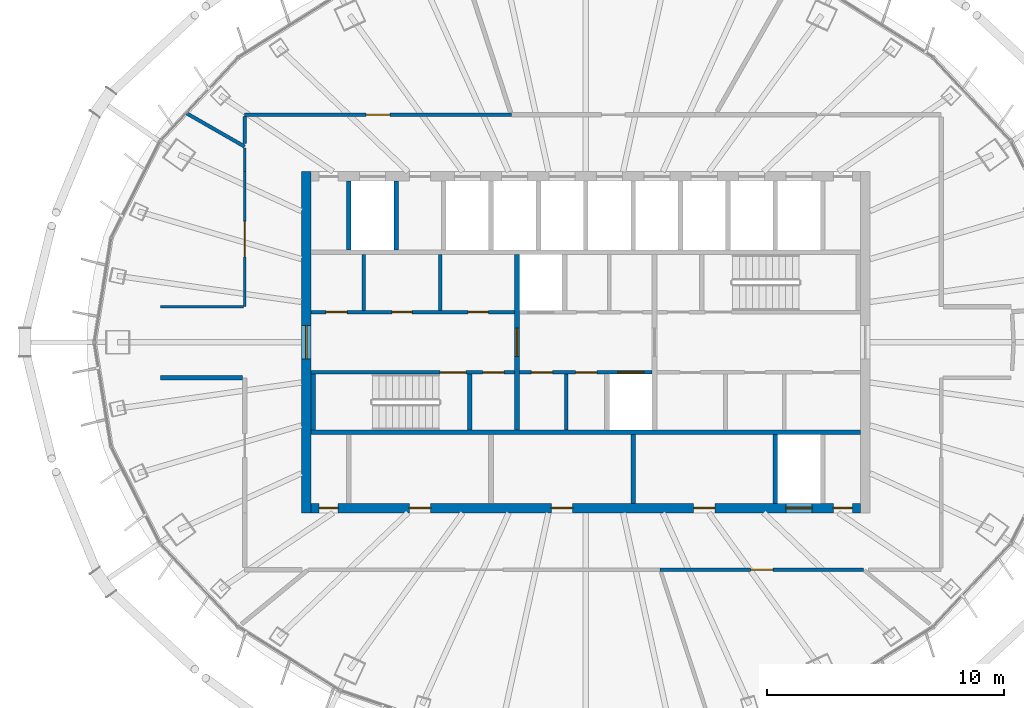
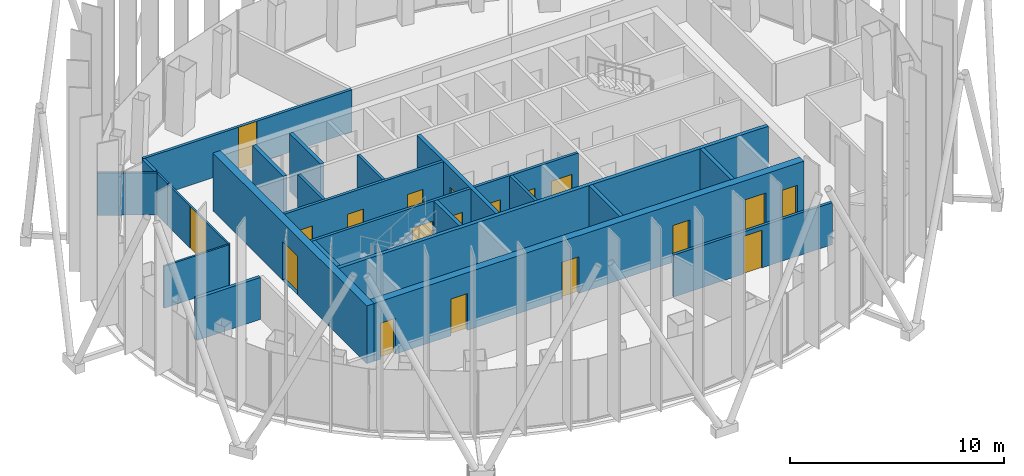
# One storey, part 9 of 19: 24 walls, 19 doors, 19 openings.
"""IFC4 building model written with IfcOpenShell, lengths in metres."""

from ifc_helpers import new_model, si_unit, direction, frame, frame_2d, origin, place, context, subcontext, project, spatial, rectangle, extrude, material, layer, layer_set, type_object, element, fill, save


model = new_model("IFC4")

# Units and contexts
model_context = context("Model", 3, precision=1e-05, world=origin(), true_north=direction((0.0, 1.0)))
body_context = subcontext(model_context, "Body", "Model", "MODEL_VIEW")
ifc_project = project(units=[si_unit("LENGTHUNIT", "METRE"), si_unit("AREAUNIT", "SQUARE_METRE"), si_unit("VOLUMEUNIT", "CUBIC_METRE"), si_unit("PLANEANGLEUNIT", "RADIAN"), si_unit("MASSUNIT", "GRAM", prefix="KILO")], contexts=[model_context])

# Site, building, storey
site_placement = place(None, origin())
site = spatial("IfcSite", under=ifc_project, at=site_placement, CompositionType="ELEMENT")
building_placement = place(site_placement, origin())
building = spatial("IfcBuilding", under=site, at=building_placement, Name="Siaravel Broadcast Tower", CompositionType="ELEMENT")
storey_placement = place(building_placement, frame((0.0, 0.0, 250.39990234375)))
storey = spatial("IfcBuildingStorey", under=building, at=storey_placement, Name="L61", CompositionType="ELEMENT", Elevation=250.39990234375)

# Walls
ifc_material_1 = material(Name="Concrete blockwork", Category="masonry")
ifc_layer_1 = layer(ifc_material_1, 0.14990234375)
ifc_layer_set_1 = layer_set([ifc_layer_1], Name="Concrete blockwork")
wall_type_1 = type_object("IfcWallType", Name="Core partition 150", PredefinedType="PARTITIONING", material=ifc_layer_set_1)
for number, where, z_axis, x_axis, name in (
    (1, (-9.366943359375, 1.35009765625, 0.0), (0.0, 0.0, 1.0), (0.0, 1.0, 0.0), "L61 core partition PNW0"),
    (2, (-6.14599609375, 1.35009765625, 0.0), (0.0, 0.0, 1.0), (0.0, 1.0, 0.0), "L61 core partition PNW1"),
    (3, (-0.827392578125, -3.699951171875, 0.0), (0.0, 0.0, 1.0), (0.0, 1.0, 0.0), "L61 core partition PSM0"),
):
    element("IfcWall", number, at=place(storey_placement, frame(where, z_axis=z_axis, x_axis=x_axis)), inside=storey, type_object=wall_type_1, Name=name, PredefinedType="PARTITIONING", context=body_context, shape_type="SweptSolid", body=[
        extrude(rectangle(XDim=2.349853515625, YDim=0.14990234375, at=frame_2d((1.1748046875, 0.0))), origin(), (0.0, 0.0, 1.0), 3.300048828125),
    ])
ifc_layer_2 = layer(ifc_material_1, 0.199951171875)
ifc_layer_set_2 = layer_set([ifc_layer_2], Name="Concrete blockwork")
wall_type_2 = type_object("IfcWallType", Name="Core partition 200", PredefinedType="PARTITIONING", material=ifc_layer_set_2)
wall_1_placement = place(storey_placement, frame((2.0, -6.800048828125, 0.0), z_axis=(0.0, 0.0, 1.0), x_axis=(0.0, 1.0, 0.0)))
element("IfcWall", 4, at=wall_1_placement, inside=storey, type_object=wall_type_2, Name="L61 core partition PFS3", PredefinedType="PARTITIONING", context=body_context, shape_type="SweptSolid", body=[
    extrude(rectangle(XDim=2.900146484375, YDim=0.199951171875, at=frame_2d((1.4501953125, 0.0))), origin(), (0.0, 0.0, 1.0), 3.300048828125),
])

# Wall, opening, door
ifc_material_2 = material(Name="Concrete C60/75", Category="concrete")
ifc_layer_3 = layer(ifc_material_2, 0.39990234375)
ifc_layer_set_3 = layer_set([ifc_layer_3], Name="Concrete C60/75")
wall_type_3 = type_object("IfcWallType", Name="Core wall 400", PredefinedType="SHEAR", material=ifc_layer_set_3)
wall_2_placement = place(storey_placement, frame((-11.800048828125, -7.199951171875, 0.0), z_axis=(0.0, 0.0, 1.0), x_axis=(0.0, 1.0, 0.0)))
wall_2 = element("IfcWall", 5, at=wall_2_placement, inside=storey, type_object=wall_type_3, Name="L61 core wall OW", PredefinedType="SHEAR", context=body_context, shape_type="SweptSolid", body=[
    extrude(rectangle(XDim=14.39990234375, YDim=0.39990234375, at=frame_2d((7.199951171875, 0.0))), origin(), (0.0, 0.0, 1.0), 3.300048828125),
])
opening_1_placement = place(wall_2_placement, frame((6.5, 0.0, 0.0)))
opening_1 = element("IfcOpeningElement", 6, at=opening_1_placement, cuts=wall_2, Name="Opening L61-DX-W", PredefinedType="OPENING", context=body_context, shape_type="SweptSolid", body=[
    extrude(rectangle(XDim=1.39990234375, YDim=2.199951171875, at=frame_2d((0.699951171875, 1.10009765625))), frame((0.0, 0.2099609375, 0.0), z_axis=(0.0, -1.0, 0.0), x_axis=(1.0, 0.0, 0.0)), (0.0, 0.0, 1.0), 0.419921875),
])
ifc_material_3 = material(Name="Steel", Category="steel")
door_type_1 = type_object("IfcDoorType", Name="Core exit door 1400", OperationType="DOUBLE_DOOR_SINGLE_SWING", PredefinedType="DOOR", material=ifc_material_3)
door_1_placement = place(opening_1_placement, origin())
door_1 = element("IfcDoor", 7, at=door_1_placement, inside=storey, type_object=door_type_1, Name="L61 door DX-W", OperationType="DOUBLE_DOOR_SINGLE_SWING", OverallHeight=2.199951171875, OverallWidth=1.39990234375, PredefinedType="DOOR", context=body_context, shape_type="SweptSolid", body=[
    extrude(rectangle(XDim=1.39990234375, YDim=2.199951171875, at=frame_2d((0.699951171875, 1.10009765625))), frame((0.0, 0.02490234375, 0.0), z_axis=(0.0, -1.0, 0.0), x_axis=(1.0, 0.0, 0.0)), (0.0, 0.0, 1.0), 0.050048828125),
])
fill(opening_1, door_1)

# Wall, openings, doors
wall_3_placement = place(storey_placement, frame((-11.60009765625, -7.0, 0.0), z_axis=(0.0, 0.0, 1.0), x_axis=(1.0, 0.0, 0.0)))
wall_3 = element("IfcWall", 8, at=wall_3_placement, inside=storey, type_object=wall_type_3, Name="L61 core wall OS", PredefinedType="SHEAR", context=body_context, shape_type="SweptSolid", body=[
    extrude(rectangle(XDim=23.2001953125, YDim=0.39990234375, at=frame_2d((11.60009765625, 0.0))), origin(), (0.0, 0.0, 1.0), 3.300048828125),
])
opening_2_placement = place(wall_3_placement, frame((20.050048828125, 0.0, 0.0)))
opening_2 = element("IfcOpeningElement", 9, at=opening_2_placement, cuts=wall_3, Name="Opening LD-SV1-L61", PredefinedType="OPENING", context=body_context, shape_type="SweptSolid", body=[
    extrude(rectangle(XDim=1.10009765625, YDim=2.199951171875, at=frame_2d((0.550048828125, 1.10009765625))), frame((0.0, 0.2099609375, 0.0), z_axis=(0.0, -1.0, 0.0), x_axis=(1.0, 0.0, 0.0)), (0.0, 0.0, 1.0), 0.419921875),
])
opening_3_placement = place(wall_3_placement, frame((4.14990234375, 0.0, 0.0)))
opening_3 = element("IfcOpeningElement", 10, at=opening_3_placement, cuts=wall_3, Name="Opening L61-DFS0", PredefinedType="OPENING", context=body_context, shape_type="SweptSolid", body=[
    extrude(rectangle(XDim=0.89990234375, YDim=2.10009765625, at=frame_2d((0.449951171875, 1.050048828125))), frame((0.0, 0.2099609375, 0.0), z_axis=(0.0, -1.0, 0.0), x_axis=(1.0, 0.0, 0.0)), (0.0, 0.0, 1.0), 0.419921875),
])
opening_4_placement = place(wall_3_placement, frame((10.14990234375, 0.0, 0.0)))
opening_4 = element("IfcOpeningElement", 11, at=opening_4_placement, cuts=wall_3, Name="Opening L61-DFS3", PredefinedType="OPENING", context=body_context, shape_type="SweptSolid", body=[
    extrude(rectangle(XDim=0.89990234375, YDim=2.10009765625, at=frame_2d((0.449951171875, 1.050048828125))), frame((0.0, 0.2099609375, 0.0), z_axis=(0.0, -1.0, 0.0), x_axis=(1.0, 0.0, 0.0)), (0.0, 0.0, 1.0), 0.419921875),
])
opening_5_placement = place(wall_3_placement, frame((16.14990234375, 0.0, 0.0)))
opening_5 = element("IfcOpeningElement", 12, at=opening_5_placement, cuts=wall_3, Name="Opening L61-DFS6", PredefinedType="OPENING", context=body_context, shape_type="SweptSolid", body=[
    extrude(rectangle(XDim=0.89990234375, YDim=2.10009765625, at=frame_2d((0.449951171875, 1.050048828125))), frame((0.0, 0.2099609375, 0.0), z_axis=(0.0, -1.0, 0.0), x_axis=(1.0, 0.0, 0.0)), (0.0, 0.0, 1.0), 0.419921875),
])
opening_6_placement = place(wall_3_placement, frame((0.35009765625, 0.0, 0.0)))
opening_6 = element("IfcOpeningElement", 13, at=opening_6_placement, cuts=wall_3, Name="Opening L61-DRSW", PredefinedType="OPENING", context=body_context, shape_type="SweptSolid", body=[
    extrude(rectangle(XDim=0.800048828125, YDim=2.050048828125, at=frame_2d((0.39990234375, 1.02490234375))), frame((0.0, 0.2099609375, 0.0), z_axis=(0.0, -1.0, 0.0), x_axis=(1.0, 0.0, 0.0)), (0.0, 0.0, 1.0), 0.419921875),
])
opening_7_placement = place(wall_3_placement, frame((22.050048828125, 0.0, 0.0)))
opening_7 = element("IfcOpeningElement", 14, at=opening_7_placement, cuts=wall_3, Name="Opening L61-DRSE", PredefinedType="OPENING", context=body_context, shape_type="SweptSolid", body=[
    extrude(rectangle(XDim=0.800048828125, YDim=2.050048828125, at=frame_2d((0.39990234375, 1.02490234375))), frame((0.0, 0.2099609375, 0.0), z_axis=(0.0, -1.0, 0.0), x_axis=(1.0, 0.0, 0.0)), (0.0, 0.0, 1.0), 0.419921875),
])
ifc_material_4 = material(Name="Timber veneer", Category="wood")
door_type_2 = type_object("IfcDoorType", Name="Core room door 900", OperationType="SINGLE_SWING_LEFT", PredefinedType="DOOR", material=ifc_material_4)
door_2_placement = place(opening_3_placement, origin())
door_2 = element("IfcDoor", 15, at=door_2_placement, inside=storey, type_object=door_type_2, Name="L61 door DFS0", OperationType="SINGLE_SWING_LEFT", OverallHeight=2.10009765625, OverallWidth=0.89990234375, PredefinedType="DOOR", context=body_context, shape_type="SweptSolid", body=[
    extrude(rectangle(XDim=0.89990234375, YDim=2.10009765625, at=frame_2d((0.449951171875, 1.050048828125))), frame((0.0, 0.02490234375, 0.0), z_axis=(0.0, -1.0, 0.0), x_axis=(1.0, 0.0, 0.0)), (0.0, 0.0, 1.0), 0.050048828125),
])
fill(opening_3, door_2)
door_3_placement = place(opening_4_placement, origin())
door_3 = element("IfcDoor", 16, at=door_3_placement, inside=storey, type_object=door_type_2, Name="L61 door DFS3", OperationType="SINGLE_SWING_LEFT", OverallHeight=2.10009765625, OverallWidth=0.89990234375, PredefinedType="DOOR", context=body_context, shape_type="SweptSolid", body=[
    extrude(rectangle(XDim=0.89990234375, YDim=2.10009765625, at=frame_2d((0.449951171875, 1.050048828125))), frame((0.0, 0.02490234375, 0.0), z_axis=(0.0, -1.0, 0.0), x_axis=(1.0, 0.0, 0.0)), (0.0, 0.0, 1.0), 0.050048828125),
])
fill(opening_4, door_3)
door_4_placement = place(opening_5_placement, origin())
door_4 = element("IfcDoor", 17, at=door_4_placement, inside=storey, type_object=door_type_2, Name="L61 door DFS6", OperationType="SINGLE_SWING_LEFT", OverallHeight=2.10009765625, OverallWidth=0.89990234375, PredefinedType="DOOR", context=body_context, shape_type="SweptSolid", body=[
    extrude(rectangle(XDim=0.89990234375, YDim=2.10009765625, at=frame_2d((0.449951171875, 1.050048828125))), frame((0.0, 0.02490234375, 0.0), z_axis=(0.0, -1.0, 0.0), x_axis=(1.0, 0.0, 0.0)), (0.0, 0.0, 1.0), 0.050048828125),
])
fill(opening_5, door_4)
door_type_3 = type_object("IfcDoorType", Name="Riser door 800", OperationType="SINGLE_SWING_LEFT", PredefinedType="DOOR", material=ifc_material_3)
door_5_placement = place(opening_6_placement, origin())
door_5 = element("IfcDoor", 18, at=door_5_placement, inside=storey, type_object=door_type_3, Name="L61 door DRSW", OperationType="SINGLE_SWING_LEFT", OverallHeight=2.050048828125, OverallWidth=0.800048828125, PredefinedType="DOOR", context=body_context, shape_type="SweptSolid", body=[
    extrude(rectangle(XDim=0.800048828125, YDim=2.050048828125, at=frame_2d((0.39990234375, 1.02490234375))), frame((0.0, 0.02490234375, 0.0), z_axis=(0.0, -1.0, 0.0), x_axis=(1.0, 0.0, 0.0)), (0.0, 0.0, 1.0), 0.050048828125),
])
fill(opening_6, door_5)
door_6_placement = place(opening_7_placement, origin())
door_6 = element("IfcDoor", 19, at=door_6_placement, inside=storey, type_object=door_type_3, Name="L61 door DRSE", OperationType="SINGLE_SWING_LEFT", OverallHeight=2.050048828125, OverallWidth=0.800048828125, PredefinedType="DOOR", context=body_context, shape_type="SweptSolid", body=[
    extrude(rectangle(XDim=0.800048828125, YDim=2.050048828125, at=frame_2d((0.39990234375, 1.02490234375))), frame((0.0, 0.02490234375, 0.0), z_axis=(0.0, -1.0, 0.0), x_axis=(1.0, 0.0, 0.0)), (0.0, 0.0, 1.0), 0.050048828125),
])
fill(opening_7, door_6)
ifc_material_5 = material(Name="Stainless steel 316L", Category="steel")
door_type_4 = type_object("IfcDoorType", Name="Service lift landing door 1100", OperationType="DOUBLE_DOOR_SLIDING", PredefinedType="DOOR", material=ifc_material_5)
door_7_placement = place(opening_2_placement, origin())
door_7 = element("IfcDoor", 20, at=door_7_placement, inside=storey, type_object=door_type_4, Name="Landing door SV1 L61", OperationType="DOUBLE_DOOR_SLIDING", OverallHeight=2.199951171875, OverallWidth=1.10009765625, PredefinedType="DOOR", context=body_context, shape_type="SweptSolid", body=[
    extrude(rectangle(XDim=1.10009765625, YDim=2.199951171875, at=frame_2d((0.550048828125, 1.10009765625))), frame((0.0, 0.02490234375, 0.0), z_axis=(0.0, -1.0, 0.0), x_axis=(1.0, 0.0, 0.0)), (0.0, 0.0, 1.0), 0.050048828125),
])
fill(opening_2, door_7)

ifc_material_6 = material(Name="Gypsum board partition", Category="gypsum")
ifc_layer_4 = layer(ifc_material_6, 0.14990234375)
ifc_layer_set_4 = layer_set([ifc_layer_4], Name="Gypsum board partition")
wall_type_4 = type_object("IfcWallType", Name="Corridor wall 150", PredefinedType="PARTITIONING", material=ifc_layer_set_4)
wall_4_placement = place(storey_placement, frame((-11.60009765625, 1.27490234375, 0.0), z_axis=(0.0, 0.0, 1.0), x_axis=(1.0, 0.0, 0.0)))
wall_4 = element("IfcWall", 21, at=wall_4_placement, inside=storey, type_object=wall_type_4, Name="L61 core partition CNW", PredefinedType="PARTITIONING", context=body_context, shape_type="SweptSolid", body=[
    extrude(rectangle(XDim=8.60009765625, YDim=0.14990234375, at=frame_2d((4.300048828125, 0.0))), origin(), (0.0, 0.0, 1.0), 3.300048828125),
])
opening_8_placement = place(wall_4_placement, frame((0.62890625, 0.0, 0.0)))
opening_8 = element("IfcOpeningElement", 22, at=opening_8_placement, cuts=wall_4, Name="Opening L61-DNW0", PredefinedType="OPENING", context=body_context, shape_type="SweptSolid", body=[
    extrude(rectangle(XDim=0.89990234375, YDim=2.10009765625, at=frame_2d((0.449951171875, 1.050048828125))), frame((0.0, 0.0849609375, 0.0), z_axis=(0.0, -1.0, 0.0), x_axis=(1.0, 0.0, 0.0)), (0.0, 0.0, 1.0), 0.169921875),
])
opening_9_placement = place(wall_4_placement, frame((3.41845703125, 0.0, 0.0)))
opening_9 = element("IfcOpeningElement", 23, at=opening_9_placement, cuts=wall_4, Name="Opening L61-DNW1", PredefinedType="OPENING", context=body_context, shape_type="SweptSolid", body=[
    extrude(rectangle(XDim=0.85009765625, YDim=2.10009765625, at=frame_2d((0.425048828125, 1.050048828125))), frame((0.0, 0.0849609375, 0.0), z_axis=(0.0, -1.0, 0.0), x_axis=(1.0, 0.0, 0.0)), (0.0, 0.0, 1.0), 0.169921875),
])
opening_10_placement = place(wall_4_placement, frame((6.639404296875, 0.0, 0.0)))
opening_10 = element("IfcOpeningElement", 24, at=opening_10_placement, cuts=wall_4, Name="Opening L61-DNW2", PredefinedType="OPENING", context=body_context, shape_type="SweptSolid", body=[
    extrude(rectangle(XDim=0.85009765625, YDim=2.10009765625, at=frame_2d((0.425048828125, 1.050048828125))), frame((0.0, 0.0849609375, 0.0), z_axis=(0.0, -1.0, 0.0), x_axis=(1.0, 0.0, 0.0)), (0.0, 0.0, 1.0), 0.169921875),
])
door_8_placement = place(opening_8_placement, origin())
door_8 = element("IfcDoor", 25, at=door_8_placement, inside=storey, type_object=door_type_2, Name="L61 door DNW0", OperationType="SINGLE_SWING_LEFT", OverallHeight=2.10009765625, OverallWidth=0.89990234375, PredefinedType="DOOR", context=body_context, shape_type="SweptSolid", body=[
    extrude(rectangle(XDim=0.89990234375, YDim=2.10009765625, at=frame_2d((0.449951171875, 1.050048828125))), frame((0.0, 0.02490234375, 0.0), z_axis=(0.0, -1.0, 0.0), x_axis=(1.0, 0.0, 0.0)), (0.0, 0.0, 1.0), 0.050048828125),
])
fill(opening_8, door_8)
door_type_5 = type_object("IfcDoorType", Name="Core toilet door 850", OperationType="SINGLE_SWING_LEFT", PredefinedType="DOOR", material=ifc_material_4)
door_9_placement = place(opening_9_placement, origin())
door_9 = element("IfcDoor", 26, at=door_9_placement, inside=storey, type_object=door_type_5, Name="L61 door DNW1", OperationType="SINGLE_SWING_LEFT", OverallHeight=2.10009765625, OverallWidth=0.85009765625, PredefinedType="DOOR", context=body_context, shape_type="SweptSolid", body=[
    extrude(rectangle(XDim=0.85009765625, YDim=2.10009765625, at=frame_2d((0.425048828125, 1.050048828125))), frame((0.0, 0.02490234375, 0.0), z_axis=(0.0, -1.0, 0.0), x_axis=(1.0, 0.0, 0.0)), (0.0, 0.0, 1.0), 0.050048828125),
])
fill(opening_9, door_9)
door_10_placement = place(opening_10_placement, origin())
door_10 = element("IfcDoor", 27, at=door_10_placement, inside=storey, type_object=door_type_5, Name="L61 door DNW2", OperationType="SINGLE_SWING_LEFT", OverallHeight=2.10009765625, OverallWidth=0.85009765625, PredefinedType="DOOR", context=body_context, shape_type="SweptSolid", body=[
    extrude(rectangle(XDim=0.85009765625, YDim=2.10009765625, at=frame_2d((0.425048828125, 1.050048828125))), frame((0.0, 0.02490234375, 0.0), z_axis=(0.0, -1.0, 0.0), x_axis=(1.0, 0.0, 0.0)), (0.0, 0.0, 1.0), 0.050048828125),
])
fill(opening_10, door_10)

# Wall, opening, door
wall_5_placement = place(storey_placement, frame((-3.140380859375, 9.60009765625, 0.0), z_axis=(0.0, 0.0, 1.0), x_axis=(-1.0, 0.0, 0.0)))
wall_5 = element("IfcWall", 28, at=wall_5_placement, inside=storey, type_object=wall_type_4, Name="L61 partition 2", PredefinedType="PARTITIONING", context=body_context, shape_type="SweptSolid", body=[
    extrude(rectangle(XDim=11.259521484375, YDim=0.14990234375, at=frame_2d((5.6298828125, 0.0))), origin(), (0.0, 0.0, 1.0), 2.400146484375),
])
opening_11_placement = place(wall_5_placement, frame((5.1298828125, 0.0, 0.0)))
opening_11 = element("IfcOpeningElement", 29, at=opening_11_placement, cuts=wall_5, Name="Opening L61-007", PredefinedType="OPENING", context=body_context, shape_type="SweptSolid", body=[
    extrude(rectangle(XDim=1.0, YDim=2.39990234375, at=frame_2d((0.5, 1.199951171875))), frame((0.0, 0.0849609375, 0.0), z_axis=(0.0, -1.0, 0.0), x_axis=(1.0, 0.0, 0.0)), (0.0, 0.0, 1.0), 0.169921875),
])
door_type_6 = type_object("IfcDoorType", Name="Executive office door 1000", OperationType="SINGLE_SWING_LEFT", PredefinedType="DOOR", material=ifc_material_4)
door_11_placement = place(opening_11_placement, origin())
door_11 = element("IfcDoor", 30, at=door_11_placement, inside=storey, type_object=door_type_6, Name="L61 door to Executive office", OperationType="SINGLE_SWING_LEFT", OverallHeight=2.39990234375, OverallWidth=1.0, PredefinedType="DOOR", context=body_context, shape_type="SweptSolid", body=[
    extrude(rectangle(XDim=1.0, YDim=2.39990234375, at=frame_2d((0.5, 1.199951171875))), frame((0.0, 0.02490234375, 0.0), z_axis=(0.0, -1.0, 0.0), x_axis=(1.0, 0.0, 0.0)), (0.0, 0.0, 1.0), 0.050048828125),
])
fill(opening_11, door_11)

wall_6_placement = place(storey_placement, frame((3.140380859375, -9.60009765625, 0.0), z_axis=(0.0, 0.0, 1.0), x_axis=(1.0, 0.0, 0.0)))
wall_6 = element("IfcWall", 31, at=wall_6_placement, inside=storey, type_object=wall_type_4, Name="L61 partition 5", PredefinedType="PARTITIONING", context=body_context, shape_type="SweptSolid", body=[
    extrude(rectangle(XDim=8.57958984375, YDim=0.14990234375, at=frame_2d((4.289794921875, 0.0))), origin(), (0.0, 0.0, 1.0), 2.400146484375),
])
opening_12_placement = place(wall_6_placement, frame((3.814697265625, 0.0, 0.0)))
opening_12 = element("IfcOpeningElement", 32, at=opening_12_placement, cuts=wall_6, Name="Opening L61-003", PredefinedType="OPENING", context=body_context, shape_type="SweptSolid", body=[
    extrude(rectangle(XDim=0.949951171875, YDim=2.14990234375, at=frame_2d((0.47509765625, 1.074951171875))), frame((0.0, 0.0849609375, 0.0), z_axis=(0.0, -1.0, 0.0), x_axis=(1.0, 0.0, 0.0)), (0.0, 0.0, 1.0), 0.169921875),
])
door_type_7 = type_object("IfcDoorType", Name="Office door 950", OperationType="SINGLE_SWING_LEFT", PredefinedType="DOOR", material=ifc_material_4)
door_12_placement = place(opening_12_placement, origin())
door_12 = element("IfcDoor", 33, at=door_12_placement, inside=storey, type_object=door_type_7, Name="L61 door to Reception", OperationType="SINGLE_SWING_LEFT", OverallHeight=2.14990234375, OverallWidth=0.949951171875, PredefinedType="DOOR", context=body_context, shape_type="SweptSolid", body=[
    extrude(rectangle(XDim=0.949951171875, YDim=2.14990234375, at=frame_2d((0.47509765625, 1.074951171875))), frame((0.0, 0.02490234375, 0.0), z_axis=(0.0, -1.0, 0.0), x_axis=(1.0, 0.0, 0.0)), (0.0, 0.0, 1.0), 0.050048828125),
])
fill(opening_12, door_12)

# Wall
wall_7_placement = place(storey_placement, frame((-14.39990234375, 9.52294921875, 0.0), z_axis=(0.0, 0.0, 1.0), x_axis=(0.0, -1.0, 0.0)))
element("IfcWall", 34, at=wall_7_placement, inside=storey, type_object=wall_type_4, Name="L61 partition 26", PredefinedType="PARTITIONING", context=body_context, shape_type="SweptSolid", body=[
    extrude(rectangle(XDim=1.132568359375, YDim=0.14990234375, at=frame_2d((0.56640625, 0.0))), origin(), (0.0, 0.0, 1.0), 2.400146484375),
])

# Wall, opening, door
ifc_material_7 = material(Name="Glazed aluminium partition", Category="aluminium")
ifc_layer_5 = layer(ifc_material_7, 0.10009765625)
ifc_layer_set_5 = layer_set([ifc_layer_5], Name="Glazed aluminium partition")
wall_type_5 = type_object("IfcWallType", Name="Glazed meeting room partition 100", PredefinedType="PARTITIONING", material=ifc_layer_set_5)
wall_8_placement = place(storey_placement, frame((-14.39990234375, 7.2119140625, 0.0), z_axis=(0.0, 0.0, 1.0), x_axis=(0.0, -1.0, 0.0)))
wall_8 = element("IfcWall", 35, at=wall_8_placement, inside=storey, type_object=wall_type_5, Name="L61 partition 10", PredefinedType="PARTITIONING", context=body_context, shape_type="SweptSolid", body=[
    extrude(rectangle(XDim=5.7119140625, YDim=0.10009765625, at=frame_2d((2.85595703125, 0.0))), origin(), (0.0, 0.0, 1.0), 2.400146484375),
])
opening_13_placement = place(wall_8_placement, frame((2.10595703125, 0.0, 0.0)))
opening_13 = element("IfcOpeningElement", 36, at=opening_13_placement, cuts=wall_8, Name="Opening L61-008", PredefinedType="OPENING", context=body_context, shape_type="SweptSolid", body=[
    extrude(rectangle(XDim=1.5, YDim=2.39990234375, at=frame_2d((0.75, 1.199951171875))), frame((0.0, 0.06005859375, 0.0), z_axis=(0.0, -1.0, 0.0), x_axis=(1.0, 0.0, 0.0)), (0.0, 0.0, 1.0), 0.1201171875),
])
door_type_8 = type_object("IfcDoorType", Name="Conference double door 1500", OperationType="DOUBLE_DOOR_SINGLE_SWING", PredefinedType="DOOR", material=ifc_material_4)
door_13_placement = place(opening_13_placement, origin())
door_13 = element("IfcDoor", 37, at=door_13_placement, inside=storey, type_object=door_type_8, Name="L61 door to Boardroom", OperationType="DOUBLE_DOOR_SINGLE_SWING", OverallHeight=2.39990234375, OverallWidth=1.5, PredefinedType="DOOR", context=body_context, shape_type="SweptSolid", body=[
    extrude(rectangle(XDim=1.5, YDim=2.39990234375, at=frame_2d((0.75, 1.199951171875))), frame((0.0, 0.02490234375, 0.0), z_axis=(0.0, -1.0, 0.0), x_axis=(1.0, 0.0, 0.0)), (0.0, 0.0, 1.0), 0.050048828125),
])
fill(opening_13, door_13)

# Walls
wall_9_placement = place(storey_placement, frame((-14.451904296875, 1.5, 0.0), z_axis=(0.0, 0.0, 1.0), x_axis=(-1.0, 0.0, 0.0)))
element("IfcWall", 38, at=wall_9_placement, inside=storey, type_object=wall_type_5, Name="L61 partition 16", PredefinedType="PARTITIONING", context=body_context, shape_type="SweptSolid", body=[
    extrude(rectangle(XDim=3.495849609375, YDim=0.10009765625, at=frame_2d((1.748046875, 0.0))), origin(), (0.0, 0.0, 1.0), 2.400146484375),
])
wall_10_placement = place(storey_placement, frame((-14.39990234375, 8.19189453125, 0.0), z_axis=(0.0, 0.0, 1.0), x_axis=(0.0, -1.0, 0.0)))
element("IfcWall", 39, at=wall_10_placement, inside=storey, type_object=wall_type_5, Name="L61 partition 29", PredefinedType="PARTITIONING", context=body_context, shape_type="SweptSolid", body=[
    extrude(rectangle(XDim=0.97900390625, YDim=0.10009765625, at=frame_2d((0.489501953125, 0.0))), origin(), (0.0, 0.0, 1.0), 2.400146484375),
])
ifc_layer_6 = layer(ifc_material_6, 0.14990234375)
ifc_layer_set_6 = layer_set([ifc_layer_6], Name="Gypsum board partition")
wall_type_6 = type_object("IfcWallType", Name="Room partition 150", PredefinedType="PARTITIONING", material=ifc_layer_set_6)
wall_11_placement = place(storey_placement, frame((-16.837890625, 9.657470703125, 0.0), z_axis=(0.0, 0.0, 1.0), x_axis=(0.86742946, -0.497560179, 0.0)))
element("IfcWall", 40, at=wall_11_placement, inside=storey, type_object=wall_type_6, Name="L61 partition 20", PredefinedType="PARTITIONING", context=body_context, shape_type="SweptSolid", body=[
    extrude(rectangle(XDim=2.810546875, YDim=0.14990234375, at=frame_2d((1.4052734375, 0.0))), origin(), (0.0, 0.0, 1.0), 2.400146484375),
])
ifc_layer_7 = layer(ifc_material_1, 0.179931640625)
ifc_layer_set_7 = layer_set([ifc_layer_7], Name="Concrete blockwork")
wall_type_7 = type_object("IfcWallType", Name="Service room fire partition 180", PredefinedType="PARTITIONING", material=ifc_layer_set_7)
wall_12_placement = place(storey_placement, frame((-17.94775390625, -1.5, 0.0), z_axis=(0.0, 0.0, 1.0), x_axis=(1.0, 0.0, 0.0)))
element("IfcWall", 41, at=wall_12_placement, inside=storey, type_object=wall_type_7, Name="L61 partition 15", PredefinedType="PARTITIONING", context=body_context, shape_type="SweptSolid", body=[
    extrude(rectangle(XDim=3.455810546875, YDim=0.179931640625, at=frame_2d((1.72802734375, 0.0))), origin(), (0.0, 0.0, 1.0), 2.400146484375),
])

# Wall, openings, doors
ifc_layer_8 = layer(ifc_material_2, 0.14990234375)
ifc_layer_set_8 = layer_set([ifc_layer_8], Name="Concrete C60/75")
wall_type_8 = type_object("IfcWallType", Name="Shaft wall 150", PredefinedType="SHEAR", material=ifc_layer_set_8)
wall_13_placement = place(storey_placement, frame((-11.60009765625, -1.27490234375, 0.0), z_axis=(0.0, 0.0, 1.0), x_axis=(1.0, 0.0, 0.0)))
wall_13 = element("IfcWall", 42, at=wall_13_placement, inside=storey, type_object=wall_type_8, Name="L61 core wall CSW", PredefinedType="SHEAR", context=body_context, shape_type="SweptSolid", body=[
    extrude(rectangle(XDim=8.60009765625, YDim=0.14990234375, at=frame_2d((4.300048828125, 0.0))), origin(), (0.0, 0.0, 1.0), 3.300048828125),
])
opening_14_placement = place(wall_13_placement, frame((5.449951171875, 0.0, 0.0)))
opening_14 = element("IfcOpeningElement", 43, at=opening_14_placement, cuts=wall_13, Name="Opening L61-DS-1", PredefinedType="OPENING", context=body_context, shape_type="SweptSolid", body=[
    extrude(rectangle(XDim=1.10009765625, YDim=2.14990234375, at=frame_2d((0.550048828125, 1.074951171875))), frame((0.0, 0.0849609375, 0.0), z_axis=(0.0, -1.0, 0.0), x_axis=(1.0, 0.0, 0.0)), (0.0, 0.0, 1.0), 0.169921875),
])
opening_15_placement = place(wall_13_placement, frame((7.25, 0.0, 0.0)))
opening_15 = element("IfcOpeningElement", 44, at=opening_15_placement, cuts=wall_13, Name="Opening L61-DSW0", PredefinedType="OPENING", context=body_context, shape_type="SweptSolid", body=[
    extrude(rectangle(XDim=0.89990234375, YDim=2.10009765625, at=frame_2d((0.449951171875, 1.050048828125))), frame((0.0, 0.0849609375, 0.0), z_axis=(0.0, -1.0, 0.0), x_axis=(1.0, 0.0, 0.0)), (0.0, 0.0, 1.0), 0.169921875),
])
door_14_placement = place(opening_15_placement, origin())
door_14 = element("IfcDoor", 45, at=door_14_placement, inside=storey, type_object=door_type_2, Name="L61 door DSW0", OperationType="SINGLE_SWING_LEFT", OverallHeight=2.10009765625, OverallWidth=0.89990234375, PredefinedType="DOOR", context=body_context, shape_type="SweptSolid", body=[
    extrude(rectangle(XDim=0.89990234375, YDim=2.10009765625, at=frame_2d((0.449951171875, 1.050048828125))), frame((0.0, 0.02490234375, 0.0), z_axis=(0.0, -1.0, 0.0), x_axis=(1.0, 0.0, 0.0)), (0.0, 0.0, 1.0), 0.050048828125),
])
fill(opening_15, door_14)
door_type_9 = type_object("IfcDoorType", Name="Stair door 1100", OperationType="SINGLE_SWING_LEFT", PredefinedType="DOOR", material=ifc_material_3)
door_15_placement = place(opening_14_placement, origin())
door_15 = element("IfcDoor", 46, at=door_15_placement, inside=storey, type_object=door_type_9, Name="L61 door DS-1", OperationType="SINGLE_SWING_LEFT", OverallHeight=2.14990234375, OverallWidth=1.10009765625, PredefinedType="DOOR", context=body_context, shape_type="SweptSolid", body=[
    extrude(rectangle(XDim=1.10009765625, YDim=2.14990234375, at=frame_2d((0.550048828125, 1.074951171875))), frame((0.0, 0.02490234375, 0.0), z_axis=(0.0, -1.0, 0.0), x_axis=(1.0, 0.0, 0.0)), (0.0, 0.0, 1.0), 0.050048828125),
])
fill(opening_14, door_15)

wall_14_placement = place(storey_placement, frame((-2.800048828125, -1.27490234375, 0.0), z_axis=(0.0, 0.0, 1.0), x_axis=(1.0, 0.0, 0.0)))
wall_14 = element("IfcWall", 47, at=wall_14_placement, inside=storey, type_object=wall_type_8, Name="L61 core wall CSM", PredefinedType="SHEAR", context=body_context, shape_type="SweptSolid", body=[
    extrude(rectangle(XDim=5.60009765625, YDim=0.14990234375, at=frame_2d((2.800048828125, 0.0))), origin(), (0.0, 0.0, 1.0), 3.300048828125),
])
opening_16_placement = place(wall_14_placement, frame((4.14990234375, 0.0, 0.0)))
opening_16 = element("IfcOpeningElement", 48, at=opening_16_placement, cuts=wall_14, Name="Opening LD-FL2-L61", PredefinedType="OPENING", context=body_context, shape_type="SweptSolid", body=[
    extrude(rectangle(XDim=1.10009765625, YDim=2.199951171875, at=frame_2d((0.550048828125, 1.10009765625))), frame((0.0, 0.0849609375, 0.0), z_axis=(0.0, -1.0, 0.0), x_axis=(1.0, 0.0, 0.0)), (0.0, 0.0, 1.0), 0.169921875),
])
opening_17_placement = place(wall_14_placement, frame((0.498779296875, 0.0, 0.0)))
opening_17 = element("IfcOpeningElement", 49, at=opening_17_placement, cuts=wall_14, Name="Opening L61-DSM0", PredefinedType="OPENING", context=body_context, shape_type="SweptSolid", body=[
    extrude(rectangle(XDim=0.89990234375, YDim=2.10009765625, at=frame_2d((0.449951171875, 1.050048828125))), frame((0.0, 0.0849609375, 0.0), z_axis=(0.0, -1.0, 0.0), x_axis=(1.0, 0.0, 0.0)), (0.0, 0.0, 1.0), 0.169921875),
])
opening_18_placement = place(wall_14_placement, frame((2.373779296875, 0.0, 0.0)))
opening_18 = element("IfcOpeningElement", 50, at=opening_18_placement, cuts=wall_14, Name="Opening L61-DSM1", PredefinedType="OPENING", context=body_context, shape_type="SweptSolid", body=[
    extrude(rectangle(XDim=0.89990234375, YDim=2.10009765625, at=frame_2d((0.449951171875, 1.050048828125))), frame((0.0, 0.0849609375, 0.0), z_axis=(0.0, -1.0, 0.0), x_axis=(1.0, 0.0, 0.0)), (0.0, 0.0, 1.0), 0.169921875),
])
door_16_placement = place(opening_17_placement, origin())
door_16 = element("IfcDoor", 51, at=door_16_placement, inside=storey, type_object=door_type_2, Name="L61 door DSM0", OperationType="SINGLE_SWING_LEFT", OverallHeight=2.10009765625, OverallWidth=0.89990234375, PredefinedType="DOOR", context=body_context, shape_type="SweptSolid", body=[
    extrude(rectangle(XDim=0.89990234375, YDim=2.10009765625, at=frame_2d((0.449951171875, 1.050048828125))), frame((0.0, 0.02490234375, 0.0), z_axis=(0.0, -1.0, 0.0), x_axis=(1.0, 0.0, 0.0)), (0.0, 0.0, 1.0), 0.050048828125),
])
fill(opening_17, door_16)
door_17_placement = place(opening_18_placement, origin())
door_17 = element("IfcDoor", 52, at=door_17_placement, inside=storey, type_object=door_type_2, Name="L61 door DSM1", OperationType="SINGLE_SWING_LEFT", OverallHeight=2.10009765625, OverallWidth=0.89990234375, PredefinedType="DOOR", context=body_context, shape_type="SweptSolid", body=[
    extrude(rectangle(XDim=0.89990234375, YDim=2.10009765625, at=frame_2d((0.449951171875, 1.050048828125))), frame((0.0, 0.02490234375, 0.0), z_axis=(0.0, -1.0, 0.0), x_axis=(1.0, 0.0, 0.0)), (0.0, 0.0, 1.0), 0.050048828125),
])
fill(opening_18, door_17)
door_type_10 = type_object("IfcDoorType", Name="Firefighting lift landing door 1100", OperationType="DOUBLE_DOOR_SLIDING", PredefinedType="DOOR", material=ifc_material_5)
door_18_placement = place(opening_16_placement, origin())
door_18 = element("IfcDoor", 53, at=door_18_placement, inside=storey, type_object=door_type_10, Name="Landing door FL2 L61", OperationType="DOUBLE_DOOR_SLIDING", OverallHeight=2.199951171875, OverallWidth=1.10009765625, PredefinedType="DOOR", context=body_context, shape_type="SweptSolid", body=[
    extrude(rectangle(XDim=1.10009765625, YDim=2.199951171875, at=frame_2d((0.550048828125, 1.10009765625))), frame((0.0, 0.02490234375, 0.0), z_axis=(0.0, -1.0, 0.0), x_axis=(1.0, 0.0, 0.0)), (0.0, 0.0, 1.0), 0.050048828125),
])
fill(opening_16, door_18)

# Walls
ifc_layer_9 = layer(ifc_material_2, 0.199951171875)
ifc_layer_set_9 = layer_set([ifc_layer_9], Name="Concrete C60/75")
wall_type_9 = type_object("IfcWallType", Name="Shaft wall 200", PredefinedType="SHEAR", material=ifc_layer_set_9)
wall_15_placement = place(storey_placement, frame((-11.60009765625, -3.800048828125, 0.0), z_axis=(0.0, 0.0, 1.0), x_axis=(1.0, 0.0, 0.0)))
element("IfcWall", 54, at=wall_15_placement, inside=storey, type_object=wall_type_9, Name="L61 core wall BS", PredefinedType="SHEAR", context=body_context, shape_type="SweptSolid", body=[
    extrude(rectangle(XDim=23.2001953125, YDim=0.199951171875, at=frame_2d((11.60009765625, 0.0))), origin(), (0.0, 0.0, 1.0), 3.300048828125),
])
for number, where, z_axis, x_axis, name in (
    (55, (8.0, -6.800048828125, 0.0), (0.0, 0.0, 1.0), (0.0, 1.0, 0.0), "L61 core wall SWS9"),
    (56, (-10.0, 3.89990234375, 0.0), (0.0, 0.0, 1.0), (0.0, 1.0, 0.0), "L61 core wall SWN0"),
    (57, (-8.0, 3.89990234375, 0.0), (0.0, 0.0, 1.0), (0.0, 1.0, 0.0), "L61 core wall SWN1"),
):
    element("IfcWall", number, at=place(storey_placement, frame(where, z_axis=z_axis, x_axis=x_axis)), inside=storey, type_object=wall_type_9, Name=name, PredefinedType="SHEAR", context=body_context, shape_type="SweptSolid", body=[
        extrude(rectangle(XDim=2.900146484375, YDim=0.199951171875, at=frame_2d((1.4501953125, 0.0))), origin(), (0.0, 0.0, 1.0), 3.300048828125),
    ])

# Wall, opening, door
wall_16_placement = place(storey_placement, frame((-2.89990234375, -3.699951171875, 0.0), z_axis=(0.0, 0.0, 1.0), x_axis=(0.0, 1.0, 0.0)))
wall_16 = element("IfcWall", 58, at=wall_16_placement, inside=storey, type_object=wall_type_9, Name="L61 core wall LW", PredefinedType="SHEAR", context=body_context, shape_type="SweptSolid", body=[
    extrude(rectangle(XDim=7.39990234375, YDim=0.199951171875, at=frame_2d((3.699951171875, 0.0))), origin(), (0.0, 0.0, 1.0), 3.300048828125),
])
opening_19_placement = place(wall_16_placement, frame((3.10009765625, 0.0, 0.0)))
opening_19 = element("IfcOpeningElement", 59, at=opening_19_placement, cuts=wall_16, Name="Opening L61-DL-W", PredefinedType="OPENING", context=body_context, shape_type="SweptSolid", body=[
    extrude(rectangle(XDim=1.199951171875, YDim=2.199951171875, at=frame_2d((0.60009765625, 1.10009765625))), frame((0.0, 0.10986328125, 0.0), z_axis=(0.0, -1.0, 0.0), x_axis=(1.0, 0.0, 0.0)), (0.0, 0.0, 1.0), 0.219970703125),
])
door_type_11 = type_object("IfcDoorType", Name="Firefighting lobby door 1200", OperationType="SINGLE_SWING_LEFT", PredefinedType="DOOR", material=ifc_material_3)
door_19_placement = place(opening_19_placement, origin())
door_19 = element("IfcDoor", 60, at=door_19_placement, inside=storey, type_object=door_type_11, Name="L61 door DL-W", OperationType="SINGLE_SWING_LEFT", OverallHeight=2.199951171875, OverallWidth=1.199951171875, PredefinedType="DOOR", context=body_context, shape_type="SweptSolid", body=[
    extrude(rectangle(XDim=1.199951171875, YDim=2.199951171875, at=frame_2d((0.60009765625, 1.10009765625))), frame((0.0, 0.02490234375, 0.0), z_axis=(0.0, -1.0, 0.0), x_axis=(1.0, 0.0, 0.0)), (0.0, 0.0, 1.0), 0.050048828125),
])
fill(opening_19, door_19)

# Walls
for number, where, z_axis, x_axis, name in (
    (61, (-11.5, -3.699951171875, 0.0), (0.0, 0.0, 1.0), (0.0, 1.0, 0.0), "L61 core wall ST1W"),
    (62, (-4.89990234375, -3.699951171875, 0.0), (0.0, 0.0, 1.0), (0.0, 1.0, 0.0), "L61 core wall ST1E"),
):
    element("IfcWall", number, at=place(storey_placement, frame(where, z_axis=z_axis, x_axis=x_axis)), inside=storey, type_object=wall_type_9, Name=name, PredefinedType="SHEAR", context=body_context, shape_type="SweptSolid", body=[
        extrude(rectangle(XDim=2.349853515625, YDim=0.199951171875, at=frame_2d((1.1748046875, 0.0))), origin(), (0.0, 0.0, 1.0), 3.300048828125),
    ])

save(model, "model.ifc")
